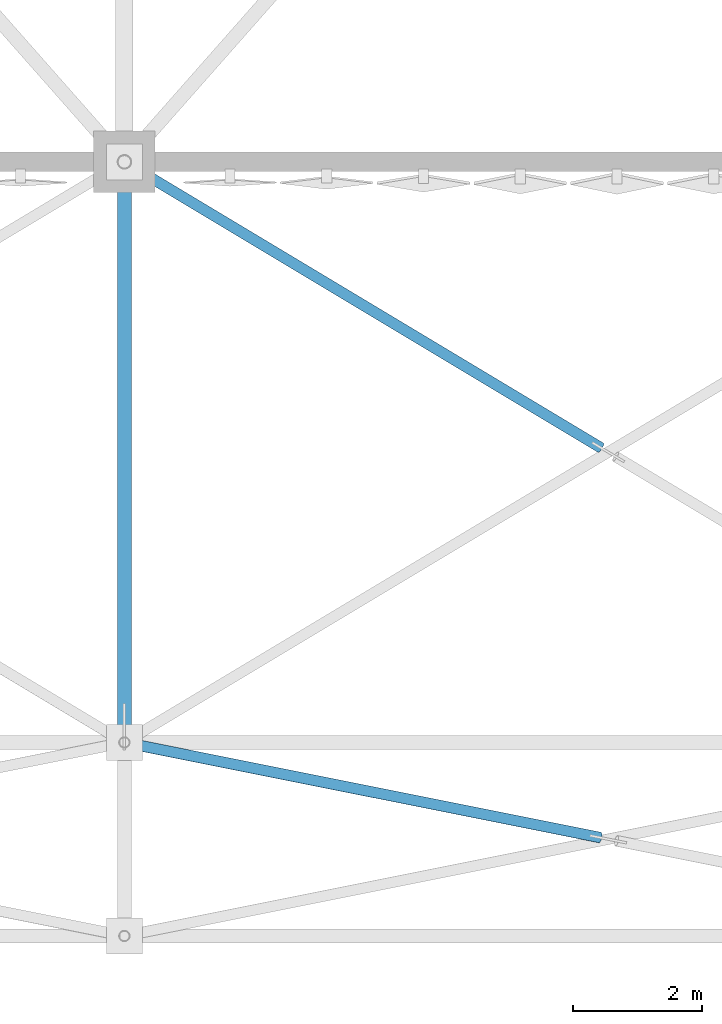
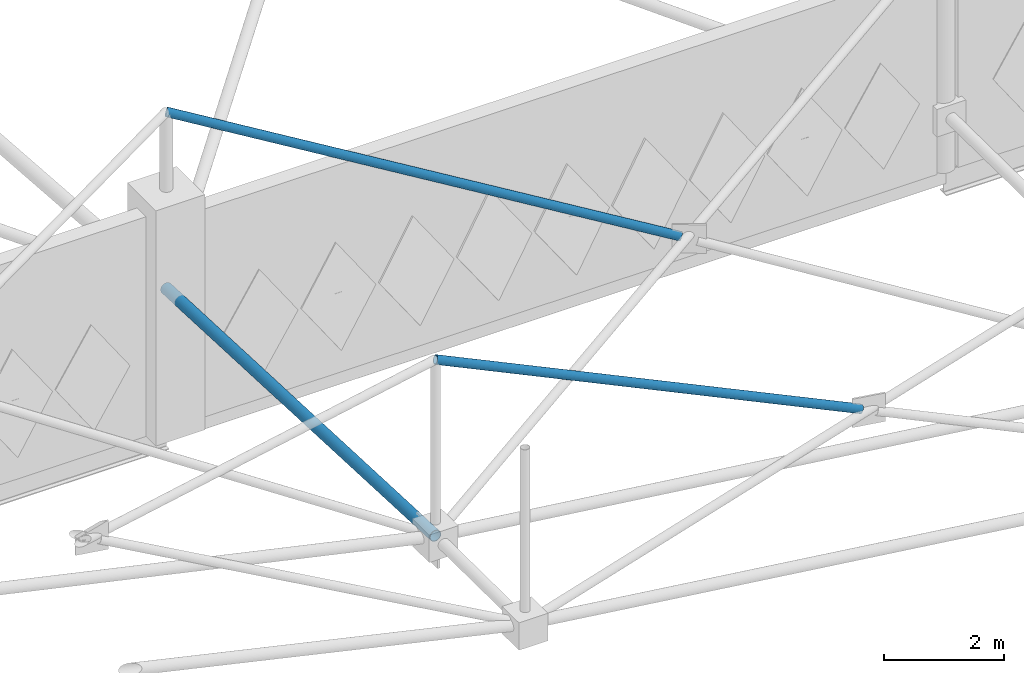
# One storey, part 22 of 224: 3 members.
"""IFC4 building model written with IfcOpenShell, lengths in metres."""

from ifc_helpers import new_model, si_unit, direction, frame, origin, origin_2d, place, context, subcontext, project, spatial, hollow_circle, extrude, material, material_profile, profile_set, type_object, element, save


model = new_model("IFC4")

# Units and contexts
model_context = context("Model", 3, precision=1e-05, world=origin(), true_north=direction((0.0, 1.0)))
body_context = subcontext(model_context, "Body", "Model", "MODEL_VIEW")
ifc_project = project(units=[si_unit("LENGTHUNIT", "METRE"), si_unit("AREAUNIT", "SQUARE_METRE"), si_unit("VOLUMEUNIT", "CUBIC_METRE"), si_unit("PLANEANGLEUNIT", "RADIAN"), si_unit("MASSUNIT", "GRAM", prefix="KILO")], contexts=[model_context])

# Site, building, storey
site_placement = place(None, origin())
site = spatial("IfcSite", under=ifc_project, at=site_placement, CompositionType="ELEMENT")
building_placement = place(site_placement, origin())
building = spatial("IfcBuilding", under=site, at=building_placement, Name="Qamarlyn Nura Convention Centre", CompositionType="ELEMENT")
storey_placement = place(building_placement, frame((0.0, 0.0, 10.800048828125)))
storey = spatial("IfcBuildingStorey", under=building, at=storey_placement, Name="L02", CompositionType="ELEMENT", Elevation=10.800048828125)

# Members
ifc_material = material(Name="Pearl-white PVDF steel ASTM A500 Grade C", Category="steel")
ifc_material_profile_1 = material_profile(ifc_material, hollow_circle(Radius=0.109619140625, WallThickness=0.010009765625, at=origin_2d()), Name="CHS219.1X10")
ifc_profile_set_1 = profile_set([ifc_material_profile_1], Name="Pearl-white PVDF steel ASTM A500 Grade C")
member_type_1 = type_object("IfcMemberType", Name="SF-BC-EAVE", PredefinedType="CHORD", material=ifc_profile_set_1)
member_1_placement = place(storey_placement, frame((15.0, 9.0, 3.170654296875), z_axis=(0.0, 0.9990034417, -0.044633210408), x_axis=(-1.0, 0.0, 0.0)))
element("IfcMember", 1, at=member_1_placement, inside=storey, type_object=member_type_1, Name="ROOF TRUSS space frame bottom chord Y3-1", PredefinedType="CHORD", context=body_context, shape_type="SweptSolid", body=[
    extrude(hollow_circle(Radius=0.109619140625, WallThickness=0.010009765625, at=origin_2d()), origin(), (0.0, 0.0, 1.0), 9.009033203125),
])
ifc_material_profile_2 = material_profile(ifc_material, hollow_circle(Radius=0.084228515625, WallThickness=0.008056640625, at=origin_2d()), Name="CHS168.3X8")
ifc_profile_set_2 = profile_set([ifc_material_profile_2], Name="Pearl-white PVDF steel ASTM A500 Grade C")
member_type_2 = type_object("IfcMemberType", Name="SF-WEB-STD", PredefinedType="BRACE", material=ifc_profile_set_2)
member_2_placement = place(storey_placement, frame((22.370849609375, 7.52587890625, 4.074951171875), z_axis=(-0.923027220735, 0.184599329562, 0.337555680307), x_axis=(-0.196109889119, -0.980581924874, 0.0)))
element("IfcMember", 2, at=member_2_placement, inside=storey, type_object=member_type_2, Name="ROOF TRUSS space frame split diagonal B2 3-0", PredefinedType="BRACE", context=body_context, shape_type="SweptSolid", body=[
    extrude(hollow_circle(Radius=0.084228515625, WallThickness=0.008056640625, at=origin_2d()), origin(), (0.0, 0.0, 1.0), 7.985595703125),
])
member_3_placement = place(storey_placement, frame((22.384765625, 13.569091796875, 3.927978515625), z_axis=(-0.82499968042, 0.495005263156, 0.272663376262), x_axis=(-0.514499924343, -0.85749042435, 0.0)))
element("IfcMember", 3, at=member_3_placement, inside=storey, type_object=member_type_2, Name="ROOF TRUSS space frame split diagonal B2 3-1", PredefinedType="BRACE", context=body_context, shape_type="SweptSolid", body=[
    extrude(hollow_circle(Radius=0.084228515625, WallThickness=0.008056640625, at=origin_2d()), origin(), (0.0, 0.0, 1.0), 8.951171875),
])

save(model, "model.ifc")
